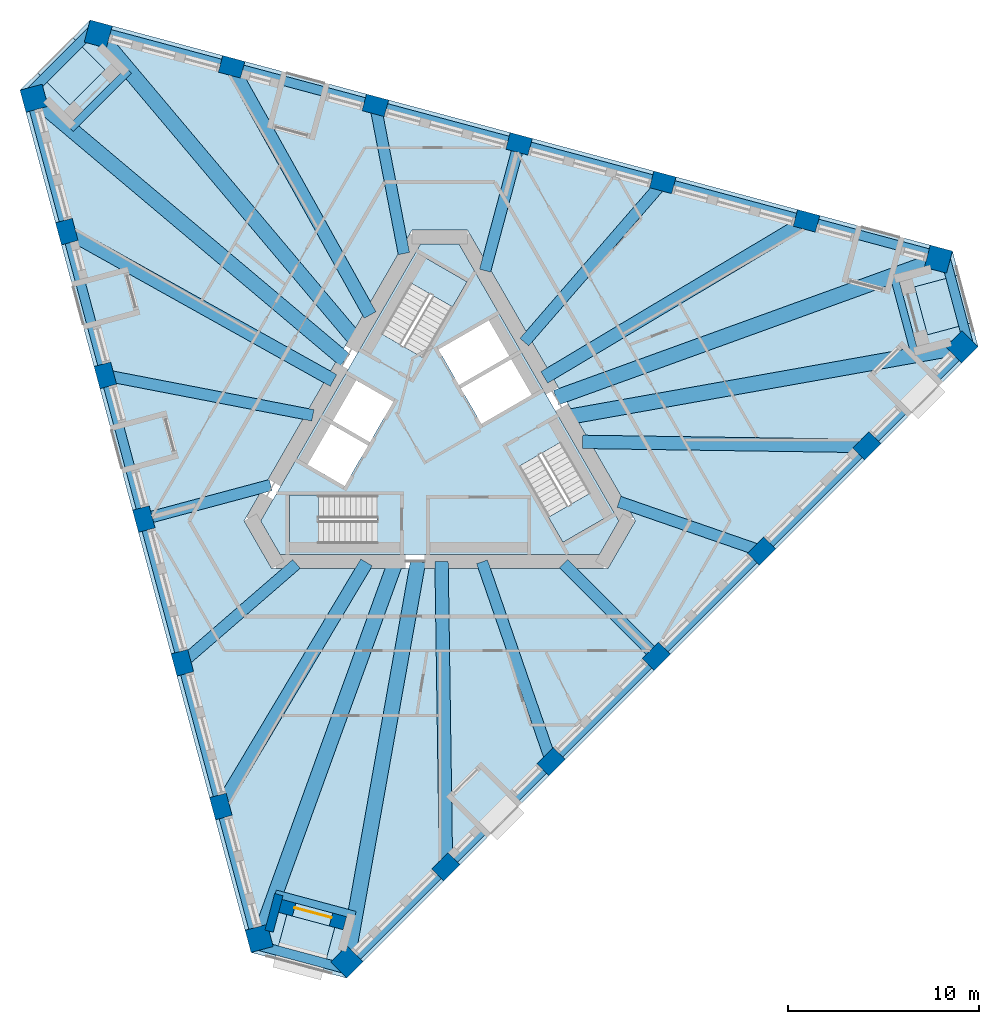
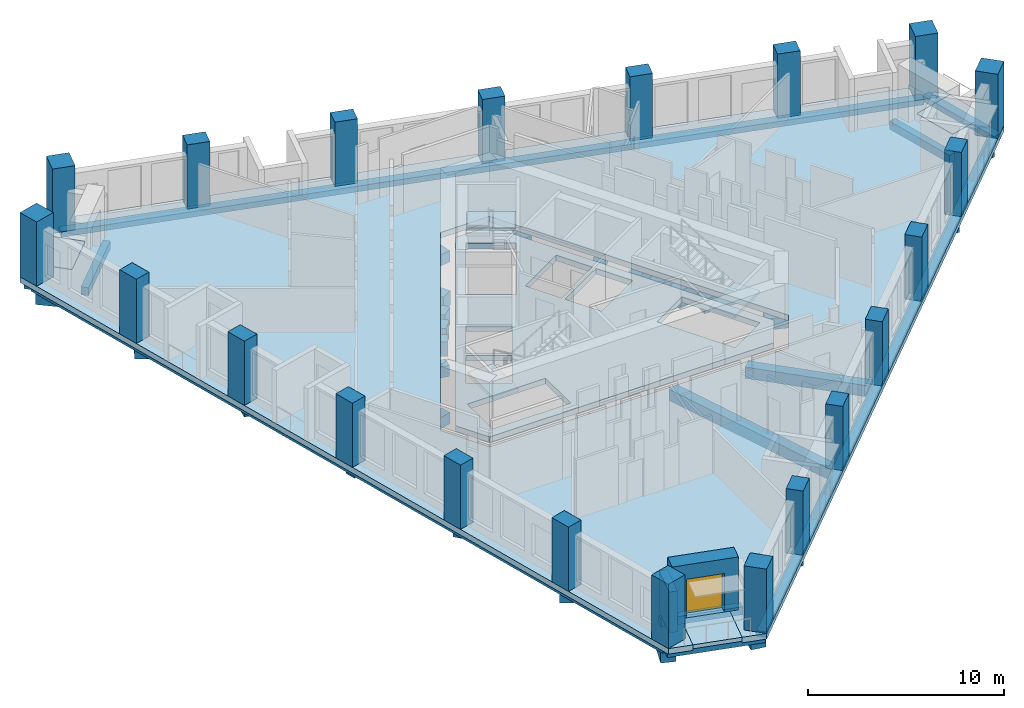
# One storey, part 1 of 13: 30 beams, 21 columns, 8 slabs, 2 walls, 1 door, 1 opening, 3 elements without a shape of their own.
"""IFC4 building model written with IfcOpenShell, lengths in metres."""

from ifc_helpers import new_model, si_unit, direction, frame, frame_2d, origin, origin_2d, place, context, subcontext, project, spatial, polyline, rectangle, outline, extrude, material, layer, layer_set, material_profile, profile_set, type_object, element, fill, aggregate, save


model = new_model("IFC4")

# Units and contexts
model_context = context("Model", 3, precision=1e-05, world=origin(), true_north=direction((0.0, 1.0)))
body_context = subcontext(model_context, "Body", "Model", "MODEL_VIEW")
ifc_project = project(units=[si_unit("LENGTHUNIT", "METRE"), si_unit("AREAUNIT", "SQUARE_METRE"), si_unit("VOLUMEUNIT", "CUBIC_METRE"), si_unit("PLANEANGLEUNIT", "RADIAN"), si_unit("MASSUNIT", "GRAM", prefix="KILO")], contexts=[model_context])

# Site, building, storey
site_placement = place(None, origin())
site = spatial("IfcSite", under=ifc_project, at=site_placement, CompositionType="ELEMENT")
building_placement = place(site_placement, origin())
building = spatial("IfcBuilding", under=site, at=building_placement, Name="Tramontana Tower", CompositionType="ELEMENT")
storey_placement = place(building_placement, frame((0.0, 0.0, 204.0)))
storey = spatial("IfcBuildingStorey", under=building, at=storey_placement, Name="L47", CompositionType="ELEMENT", Elevation=204.0)

# Columns
ifc_material_1 = material(Name="Concrete 55 MPa", Category="concrete")
ifc_material_profile_1 = material_profile(ifc_material_1, rectangle(XDim=1.199951171875, YDim=1.199951171875, at=origin_2d()), Name="Mega column 1200X1200 55 MPa")
ifc_profile_set_1 = profile_set([ifc_material_profile_1], Name="Concrete 55 MPa")
column_type_1 = type_object("IfcColumnType", Name="Mega column 1200X1200 55 MPa", PredefinedType="COLUMN", material=ifc_profile_set_1)
for number, where, z_axis, x_axis, name in (
    (1, (-21.2548828125, 17.89111328125, 0.0), (0.0, 0.0, 1.0), (0.258819045103, -0.965925826289, 0.0), "Mega column C5K1 L47"),
    (2, (-9.461669921875, -26.12158203125, 0.0), (0.0, 0.0, 1.0), (0.258819045103, -0.965925826289, 0.0), "Mega column C5K2 L47"),
    (3, (-4.86669921875, -27.352783203125, 0.0), (0.0, 0.0, 1.0), (0.707106781187, 0.707106781187, 0.0), "Mega column C5K3 L47"),
    (4, (27.352783203125, 4.86669921875, 0.0), (0.0, 0.0, 1.0), (0.707106781187, 0.707106781187, 0.0), "Mega column C5K4 L47"),
    (5, (26.12158203125, 9.461669921875, 0.0), (0.0, 0.0, 1.0), (-0.965925826289, 0.258819045103, 0.0), "Mega column C5K5 L47"),
    (6, (-17.89111328125, 21.2548828125, 0.0), (0.0, 0.0, 1.0), (-0.965925826289, 0.258819045103, 0.0), "Mega column C5K6 L47"),
):
    element("IfcColumn", number, at=place(storey_placement, frame(where, z_axis=z_axis, x_axis=x_axis)), inside=storey, type_object=column_type_1, Name=name, PredefinedType="COLUMN", context=body_context, shape_type="SweptSolid", body=[
        extrude(rectangle(XDim=1.199951171875, YDim=1.199951171875, at=origin_2d()), origin(), (0.0, 0.0, 1.0), 4.0),
    ])
ifc_material_2 = material(Name="Concrete 55 MPa", Category="concrete")
ifc_material_profile_2 = material_profile(ifc_material_2, rectangle(XDim=1.199951171875, YDim=0.89990234375, at=origin_2d()), Name="Pier column 1200X900 55 MPa")
ifc_profile_set_2 = profile_set([ifc_material_profile_2], Name="Concrete 55 MPa")
column_type_2 = type_object("IfcColumnType", Name="Pier column 1200X900 55 MPa", PredefinedType="COLUMN", material=ifc_profile_set_2)
for number, where, z_axis, x_axis, name in (
    (7, (-19.53759765625, 10.9033203125, 0.0), (0.0, 0.0, 1.0), (0.258819045103, -0.965925826289, 0.0), "Pier column C5F01 L47"),
    (8, (-17.5205078125, 3.37451171875, 0.0), (0.0, 0.0, 1.0), (0.258819045103, -0.965925826289, 0.0), "Pier column C5F02 L47"),
    (9, (-15.503173828125, -4.154052734375, 0.0), (0.0, 0.0, 1.0), (0.258819045103, -0.965925826289, 0.0), "Pier column C5F03 L47"),
    (10, (-13.48583984375, -11.6826171875, 0.0), (0.0, 0.0, 1.0), (0.258819045103, -0.965925826289, 0.0), "Pier column C5F04 L47"),
    (11, (-11.468505859375, -19.21142578125, 0.0), (0.0, 0.0, 1.0), (0.258819045103, -0.965925826289, 0.0), "Pier column C5F05 L47"),
    (12, (0.326416015625, -22.371826171875, 0.0), (0.0, 0.0, 1.0), (0.707106781187, 0.707106781187, 0.0), "Pier column C5F06 L47"),
    (13, (5.837646484375, -16.8603515625, 0.0), (0.0, 0.0, 1.0), (0.707106781187, 0.707106781187, 0.0), "Pier column C5F07 L47"),
    (14, (11.34912109375, -11.34912109375, 0.0), (0.0, 0.0, 1.0), (0.707106781187, 0.707106781187, 0.0), "Pier column C5F08 L47"),
    (15, (16.8603515625, -5.837646484375, 0.0), (0.0, 0.0, 1.0), (0.707106781187, 0.707106781187, 0.0), "Pier column C5F09 L47"),
    (16, (22.371826171875, -0.326416015625, 0.0), (0.0, 0.0, 1.0), (0.707106781187, 0.707106781187, 0.0), "Pier column C5F10 L47"),
    (17, (19.21142578125, 11.468505859375, 0.0), (0.0, 0.0, 1.0), (-0.965925826289, 0.258819045103, 0.0), "Pier column C5F11 L47"),
    (18, (11.6826171875, 13.48583984375, 0.0), (0.0, 0.0, 1.0), (-0.965925826289, 0.258819045103, 0.0), "Pier column C5F12 L47"),
    (19, (4.154052734375, 15.503173828125, 0.0), (0.0, 0.0, 1.0), (-0.965925826289, 0.258819045103, 0.0), "Pier column C5F13 L47"),
    (20, (-3.37451171875, 17.5205078125, 0.0), (0.0, 0.0, 1.0), (-0.965925826289, 0.258819045103, 0.0), "Pier column C5F14 L47"),
    (21, (-10.9033203125, 19.53759765625, 0.0), (0.0, 0.0, 1.0), (-0.965925826289, 0.258819045103, 0.0), "Pier column C5F15 L47"),
):
    element("IfcColumn", number, at=place(storey_placement, frame(where, z_axis=z_axis, x_axis=x_axis)), inside=storey, type_object=column_type_2, Name=name, PredefinedType="COLUMN", context=body_context, shape_type="SweptSolid", body=[
        extrude(rectangle(XDim=1.199951171875, YDim=0.89990234375, at=origin_2d()), origin(), (0.0, 0.0, 1.0), 4.0),
    ])

# Beams
ifc_material_3 = material(Name="Concrete 40 MPa", Category="concrete")
ifc_material_profile_3 = material_profile(ifc_material_3, rectangle(XDim=0.5, YDim=0.35009765625, at=origin_2d()), Name="RC EDGE BEAM 500X350 40 MPa")
ifc_profile_set_3 = profile_set([ifc_material_profile_3], Name="Concrete 40 MPa")
beam_type_1 = type_object("IfcBeamType", Name="RC EDGE BEAM 500X350 40 MPa", PredefinedType="SPANDREL", material=ifc_profile_set_3)
beam_1_placement = place(storey_placement, frame((-21.399658203125, 17.852294921875, -0.52490234375), z_axis=(0.25882000186, -0.965925569926, 0.0), x_axis=(0.965925569926, 0.25882000186, 0.0)))
element("IfcBeam", 22, at=beam_1_placement, inside=storey, type_object=beam_type_1, Name="Spandrel beam S0 L47", PredefinedType="SPANDREL", context=body_context, shape_type="SweptSolid", body=[
    extrude(rectangle(XDim=0.5, YDim=0.35009765625, at=origin_2d()), origin(), (0.0, 0.0, 1.0), 45.565185546875),
])
beam_2_placement = place(storey_placement, frame((-4.7607421875, -27.458984375, -0.52490234375), z_axis=(0.707106781187, 0.707106781187, 0.0), x_axis=(-0.707106781187, 0.707106781187, 0.0)))
element("IfcBeam", 23, at=beam_2_placement, inside=storey, type_object=beam_type_1, Name="Spandrel beam S1 L47", PredefinedType="SPANDREL", context=body_context, shape_type="SweptSolid", body=[
    extrude(rectangle(XDim=0.5, YDim=0.35009765625, at=origin_2d()), origin(), (0.0, 0.0, 1.0), 45.565673828125),
])
beam_3_placement = place(storey_placement, frame((26.160400390625, 9.6064453125, -0.52490234375), z_axis=(-0.965925569926, 0.25882000186, 0.0), x_axis=(-0.25882000186, -0.965925569926, 0.0)))
element("IfcBeam", 24, at=beam_3_placement, inside=storey, type_object=beam_type_1, Name="Spandrel beam S2 L47", PredefinedType="SPANDREL", context=body_context, shape_type="SweptSolid", body=[
    extrude(rectangle(XDim=0.5, YDim=0.35009765625, at=origin_2d()), origin(), (0.0, 0.0, 1.0), 45.565185546875),
])
beam_4_placement = place(storey_placement, frame((-17.997314453125, 21.67138671875, -0.52490234375), z_axis=(-0.707106781187, -0.707106781187, 0.0), x_axis=(0.707106781187, -0.707106781187, 0.0)))
element("IfcBeam", 25, at=beam_4_placement, inside=storey, type_object=beam_type_1, Name="Spandrel beam K0 L47", PredefinedType="SPANDREL", context=body_context, shape_type="SweptSolid", body=[
    extrude(rectangle(XDim=0.5, YDim=0.35009765625, at=origin_2d()), origin(), (0.0, 0.0, 1.0), 5.19580078125),
])
for number, where, z_axis, x_axis, name in (
    (26, (-9.769287109375, -26.421875, -0.52490234375), (0.965931693355, -0.258797147923, 0.0), (0.258797147923, 0.965931693355, 0.0), "Spandrel beam K1 L47"),
    (27, (27.7666015625, 4.750244140625, -0.52490234375), (-0.258797147923, 0.965931693355, 0.0), (-0.965931693355, -0.258797147923, 0.0), "Spandrel beam K2 L47"),
):
    element("IfcBeam", number, at=place(storey_placement, frame(where, z_axis=z_axis, x_axis=x_axis)), inside=storey, type_object=beam_type_1, Name=name, PredefinedType="SPANDREL", context=body_context, shape_type="SweptSolid", body=[
        extrude(rectangle(XDim=0.5, YDim=0.35009765625, at=origin_2d()), origin(), (0.0, 0.0, 1.0), 5.196044921875),
    ])
ifc_material_4 = material(Name="Concrete 40 MPa", Category="concrete")
ifc_material_profile_4 = material_profile(ifc_material_4, rectangle(XDim=0.60009765625, YDim=0.699951171875, at=origin_2d()), Name="RC GIRDER 600X700 40 MPa")
ifc_profile_set_4 = profile_set([ifc_material_profile_4], Name="Concrete 40 MPa")
beam_type_2 = type_object("IfcBeamType", Name="RC GIRDER 600X700 40 MPa", PredefinedType="BEAM", material=ifc_profile_set_4)
beam_5_placement = place(storey_placement, frame((-17.5205078125, 3.37451171875, -0.699951171875), z_axis=(0.981952314937, -0.189128663056, 0.0), x_axis=(0.189128663056, 0.981952314937, 0.0)))
element("IfcBeam", 28, at=beam_5_placement, inside=storey, type_object=beam_type_2, Name="Radial girder C5F02 L47", PredefinedType="BEAM", context=body_context, shape_type="SweptSolid", body=[
    extrude(rectangle(XDim=0.60009765625, YDim=0.699951171875, at=origin_2d()), origin(), (0.0, 0.0, 1.0), 11.074462890625),
])
beam_6_placement = place(storey_placement, frame((-15.503173828125, -4.154052734375, -0.699951171875), z_axis=(0.96592381373, 0.258826555959, 0.0), x_axis=(-0.258826555959, 0.96592381373, 0.0)))
element("IfcBeam", 29, at=beam_6_placement, inside=storey, type_object=beam_type_2, Name="Radial girder C5F03 L47", PredefinedType="BEAM", context=body_context, shape_type="SweptSolid", body=[
    extrude(rectangle(XDim=0.60009765625, YDim=0.699951171875, at=origin_2d()), origin(), (0.0, 0.0, 1.0), 6.879150390625),
])
beam_7_placement = place(storey_placement, frame((-13.48583984375, -11.6826171875, -0.699951171875), z_axis=(0.755833701345, 0.654763633619, 0.0), x_axis=(-0.654763633619, 0.755833701345, 0.0)))
element("IfcBeam", 30, at=beam_7_placement, inside=storey, type_object=beam_type_2, Name="Radial girder C5F04 L47", PredefinedType="BEAM", context=body_context, shape_type="SweptSolid", body=[
    extrude(rectangle(XDim=0.60009765625, YDim=0.699951171875, at=origin_2d()), origin(), (0.0, 0.0, 1.0), 7.908447265625),
])
beam_8_placement = place(storey_placement, frame((5.837646484375, -16.8603515625, -0.699951171875), z_axis=(-0.327178709265, 0.944962481903, 0.0), x_axis=(-0.944962481903, -0.327178709265, 0.0)))
element("IfcBeam", 31, at=beam_8_placement, inside=storey, type_object=beam_type_2, Name="Radial girder C5F07 L47", PredefinedType="BEAM", context=body_context, shape_type="SweptSolid", body=[
    extrude(rectangle(XDim=0.60009765625, YDim=0.699951171875, at=origin_2d()), origin(), (0.0, 0.0, 1.0), 11.074462890625),
])
beam_9_placement = place(storey_placement, frame((11.34912109375, -11.34912109375, -0.699951171875), z_axis=(-0.707106781187, 0.707106781187, 0.0), x_axis=(-0.707106781187, -0.707106781187, 0.0)))
element("IfcBeam", 32, at=beam_9_placement, inside=storey, type_object=beam_type_2, Name="Radial girder C5F08 L47", PredefinedType="BEAM", context=body_context, shape_type="SweptSolid", body=[
    extrude(rectangle(XDim=0.60009765625, YDim=0.699951171875, at=origin_2d()), origin(), (0.0, 0.0, 1.0), 6.879150390625),
])
beam_10_placement = place(storey_placement, frame((16.8603515625, -5.837646484375, -0.699951171875), z_axis=(-0.944964783829, 0.327172060732, 0.0), x_axis=(-0.327172060732, -0.944964783829, 0.0)))
element("IfcBeam", 33, at=beam_10_placement, inside=storey, type_object=beam_type_2, Name="Radial girder C5F09 L47", PredefinedType="BEAM", context=body_context, shape_type="SweptSolid", body=[
    extrude(rectangle(XDim=0.60009765625, YDim=0.699951171875, at=origin_2d()), origin(), (0.0, 0.0, 1.0), 7.908447265625),
])
beam_11_placement = place(storey_placement, frame((11.6826171875, 13.48583984375, -0.699951171875), z_axis=(-0.654758463957, -0.755838179689, 0.0), x_axis=(0.755838179689, -0.654758463957, 0.0)))
element("IfcBeam", 34, at=beam_11_placement, inside=storey, type_object=beam_type_2, Name="Radial girder C5F12 L47", PredefinedType="BEAM", context=body_context, shape_type="SweptSolid", body=[
    extrude(rectangle(XDim=0.60009765625, YDim=0.699951171875, at=origin_2d()), origin(), (0.0, 0.0, 1.0), 11.07421875),
])
beam_12_placement = place(storey_placement, frame((4.154052734375, 15.503173828125, -0.699951171875), z_axis=(-0.258826555959, -0.96592381373, 0.0), x_axis=(0.96592381373, -0.258826555959, 0.0)))
element("IfcBeam", 35, at=beam_12_placement, inside=storey, type_object=beam_type_2, Name="Radial girder C5F13 L47", PredefinedType="BEAM", context=body_context, shape_type="SweptSolid", body=[
    extrude(rectangle(XDim=0.60009765625, YDim=0.699951171875, at=origin_2d()), origin(), (0.0, 0.0, 1.0), 6.879150390625),
])
beam_13_placement = place(storey_placement, frame((-3.37451171875, 17.5205078125, -0.699951171875), z_axis=(0.189111876718, -0.981955547917, 0.0), x_axis=(0.981955547917, 0.189111876718, 0.0)))
element("IfcBeam", 36, at=beam_13_placement, inside=storey, type_object=beam_type_2, Name="Radial girder C5F14 L47", PredefinedType="BEAM", context=body_context, shape_type="SweptSolid", body=[
    extrude(rectangle(XDim=0.60009765625, YDim=0.699951171875, at=origin_2d()), origin(), (0.0, 0.0, 1.0), 7.90869140625),
])
ifc_material_5 = material(Name="Concrete 40 MPa", Category="concrete")
ifc_material_profile_5 = material_profile(ifc_material_5, rectangle(XDim=0.699951171875, YDim=0.89990234375, at=origin_2d()), Name="RC GIRDER 700X900 40 MPa")
ifc_profile_set_5 = profile_set([ifc_material_profile_5], Name="Concrete 40 MPa")
beam_type_3 = type_object("IfcBeamType", Name="RC GIRDER 700X900 40 MPa", PredefinedType="BEAM", material=ifc_profile_set_5)
beam_14_placement = place(storey_placement, frame((-19.53759765625, 10.9033203125, -0.800048828125), z_axis=(0.873222771741, -0.487321239956, 0.0), x_axis=(0.487321239956, 0.873222771741, 0.0)))
element("IfcBeam", 37, at=beam_14_placement, inside=storey, type_object=beam_type_3, Name="Radial girder C5F01 L47", PredefinedType="BEAM", context=body_context, shape_type="SweptSolid", body=[
    extrude(rectangle(XDim=0.699951171875, YDim=0.89990234375, at=origin_2d()), origin(), (0.0, 0.0, 1.0), 15.99853515625),
])
beam_15_placement = place(storey_placement, frame((-11.468505859375, -19.211181640625, -0.800048828125), z_axis=(0.512577256937, 0.858641109935, 0.0), x_axis=(-0.858641109935, 0.512577256937, 0.0)))
element("IfcBeam", 38, at=beam_15_placement, inside=storey, type_object=beam_type_3, Name="Radial girder C5F05 L47", PredefinedType="BEAM", context=body_context, shape_type="SweptSolid", body=[
    extrude(rectangle(XDim=0.699951171875, YDim=0.89990234375, at=origin_2d()), origin(), (0.0, 0.0, 1.0), 14.8876953125),
])
beam_16_placement = place(storey_placement, frame((0.326416015625, -22.371826171875, -0.800048828125), z_axis=(-0.014588743818, 0.999893578614, 0.0), x_axis=(-0.999893578614, -0.014588743818, 0.0)))
element("IfcBeam", 39, at=beam_16_placement, inside=storey, type_object=beam_type_3, Name="Radial girder C5F06 L47", PredefinedType="BEAM", context=body_context, shape_type="SweptSolid", body=[
    extrude(rectangle(XDim=0.699951171875, YDim=0.89990234375, at=origin_2d()), origin(), (0.0, 0.0, 1.0), 15.99853515625),
])
beam_17_placement = place(storey_placement, frame((22.371826171875, -0.326416015625, -0.800048828125), z_axis=(-0.999893489786, 0.01459483068, 0.0), x_axis=(-0.01459483068, -0.999893489786, 0.0)))
element("IfcBeam", 40, at=beam_17_placement, inside=storey, type_object=beam_type_3, Name="Radial girder C5F10 L47", PredefinedType="BEAM", context=body_context, shape_type="SweptSolid", body=[
    extrude(rectangle(XDim=0.699951171875, YDim=0.89990234375, at=origin_2d()), origin(), (0.0, 0.0, 1.0), 14.8876953125),
])
beam_18_placement = place(storey_placement, frame((19.211181640625, 11.468505859375, -0.800048828125), z_axis=(-0.858639355408, -0.512580196012, 0.0), x_axis=(0.512580196012, -0.858639355408, 0.0)))
element("IfcBeam", 41, at=beam_18_placement, inside=storey, type_object=beam_type_3, Name="Radial girder C5F11 L47", PredefinedType="BEAM", context=body_context, shape_type="SweptSolid", body=[
    extrude(rectangle(XDim=0.699951171875, YDim=0.89990234375, at=origin_2d()), origin(), (0.0, 0.0, 1.0), 15.998291015625),
])
beam_19_placement = place(storey_placement, frame((-10.9033203125, 19.53759765625, -0.800048828125), z_axis=(0.487317016809, -0.873225128548, 0.0), x_axis=(0.873225128548, 0.487317016809, 0.0)))
element("IfcBeam", 42, at=beam_19_placement, inside=storey, type_object=beam_type_3, Name="Radial girder C5F15 L47", PredefinedType="BEAM", context=body_context, shape_type="SweptSolid", body=[
    extrude(rectangle(XDim=0.699951171875, YDim=0.89990234375, at=origin_2d()), origin(), (0.0, 0.0, 1.0), 14.887939453125),
])
ifc_material_6 = material(Name="Concrete 40 MPa", Category="concrete")
ifc_material_profile_6 = material_profile(ifc_material_6, rectangle(XDim=0.800048828125, YDim=1.10009765625, at=origin_2d()), Name="RC GIRDER 800X1100 40 MPa")
ifc_profile_set_6 = profile_set([ifc_material_profile_6], Name="Concrete 40 MPa")
beam_type_4 = type_object("IfcBeamType", Name="RC GIRDER 800X1100 40 MPa", PredefinedType="BEAM", material=ifc_profile_set_6)
beam_20_placement = place(storey_placement, frame((-21.2548828125, 17.89111328125, -0.89990234375), z_axis=(0.765048789766, -0.643972320273, 0.0), x_axis=(0.643972320273, 0.765048789766, 0.0)))
element("IfcBeam", 43, at=beam_20_placement, inside=storey, type_object=beam_type_4, Name="Radial girder C5K1 L47", PredefinedType="BEAM", context=body_context, shape_type="SweptSolid", body=[
    extrude(rectangle(XDim=0.800048828125, YDim=1.10009765625, at=origin_2d()), origin(), (0.0, 0.0, 1.0), 21.301513671875),
])
beam_21_placement = place(storey_placement, frame((-9.461669921875, -26.12158203125, -0.89990234375), z_axis=(0.340569160695, 0.94021946735, 0.0), x_axis=(-0.94021946735, 0.340569160695, 0.0)))
element("IfcBeam", 44, at=beam_21_placement, inside=storey, type_object=beam_type_4, Name="Radial girder C5K2 L47", PredefinedType="BEAM", context=body_context, shape_type="SweptSolid", body=[
    extrude(rectangle(XDim=0.800048828125, YDim=1.10009765625, at=origin_2d()), origin(), (0.0, 0.0, 1.0), 20.978271484375),
])
beam_22_placement = place(storey_placement, frame((-4.86669921875, -27.352783203125, -0.89990234375), z_axis=(0.175174555483, 0.984537391424, 0.0), x_axis=(-0.984537391424, 0.175174555483, 0.0)))
element("IfcBeam", 45, at=beam_22_placement, inside=storey, type_object=beam_type_4, Name="Radial girder C5K3 L47", PredefinedType="BEAM", context=body_context, shape_type="SweptSolid", body=[
    extrude(rectangle(XDim=0.800048828125, YDim=1.10009765625, at=origin_2d()), origin(), (0.0, 0.0, 1.0), 21.30126953125),
])
beam_23_placement = place(storey_placement, frame((27.352783203125, 4.86669921875, -0.89990234375), z_axis=(-0.984537718073, -0.175172719597, 0.0), x_axis=(0.175172719597, -0.984537718073, 0.0)))
element("IfcBeam", 46, at=beam_23_placement, inside=storey, type_object=beam_type_4, Name="Radial girder C5K4 L47", PredefinedType="BEAM", context=body_context, shape_type="SweptSolid", body=[
    extrude(rectangle(XDim=0.800048828125, YDim=1.10009765625, at=origin_2d()), origin(), (0.0, 0.0, 1.0), 20.978271484375),
])
beam_24_placement = place(storey_placement, frame((26.12158203125, 9.461669921875, -0.89990234375), z_axis=(-0.940223018737, -0.340559356113, 0.0), x_axis=(0.340559356113, -0.940223018737, 0.0)))
element("IfcBeam", 47, at=beam_24_placement, inside=storey, type_object=beam_type_4, Name="Radial girder C5K5 L47", PredefinedType="BEAM", context=body_context, shape_type="SweptSolid", body=[
    extrude(rectangle(XDim=0.800048828125, YDim=1.10009765625, at=origin_2d()), origin(), (0.0, 0.0, 1.0), 21.301513671875),
])
beam_25_placement = place(storey_placement, frame((-17.89111328125, 21.2548828125, -0.89990234375), z_axis=(0.643976971362, -0.765044874733, 0.0), x_axis=(0.765044874733, 0.643976971362, 0.0)))
element("IfcBeam", 48, at=beam_25_placement, inside=storey, type_object=beam_type_4, Name="Radial girder C5K6 L47", PredefinedType="BEAM", context=body_context, shape_type="SweptSolid", body=[
    extrude(rectangle(XDim=0.800048828125, YDim=1.10009765625, at=origin_2d()), origin(), (0.0, 0.0, 1.0), 20.978271484375),
])
ifc_material_7 = material(Name="Concrete 40 MPa", Category="concrete")
ifc_material_profile_7 = material_profile(ifc_material_7, rectangle(XDim=0.39990234375, YDim=0.5, at=origin_2d()), Name="RC TRIM BEAM 400X500 40 MPa")
ifc_profile_set_7 = profile_set([ifc_material_profile_7], Name="Concrete 40 MPa")
beam_type_5 = type_object("IfcBeamType", Name="RC TRIM BEAM 400X500 40 MPa", PredefinedType="JOIST", material=ifc_profile_set_7)
beam_26_placement = place(storey_placement, frame((-16.2880859375, 19.35009765625, -0.60009765625), z_axis=(-0.707106781187, -0.707106781187, 0.0), x_axis=(0.707106781187, -0.707106781187, 0.0)))
element("IfcBeam", 49, at=beam_26_placement, inside=storey, type_object=beam_type_5, Name="Trimmer beam K0 L47", PredefinedType="JOIST", context=body_context, shape_type="SweptSolid", body=[
    extrude(rectangle(XDim=0.39990234375, YDim=0.5, at=origin_2d()), origin(), (0.0, 0.0, 1.0), 4.330322265625),
])
for number, where, z_axis, x_axis, name in (
    (50, (-8.61376953125, -23.781005859375, -0.60009765625), (0.965926410656, -0.258816864207, 0.0), (0.258816864207, 0.965926410656, 0.0), "Trimmer beam K1 L47"),
    (51, (24.90185546875, 4.4306640625, -0.60009765625), (-0.258816864207, 0.965926410656, 0.0), (-0.965926410656, -0.258816864207, 0.0), "Trimmer beam K2 L47"),
):
    element("IfcBeam", number, at=place(storey_placement, frame(where, z_axis=z_axis, x_axis=x_axis)), inside=storey, type_object=beam_type_5, Name=name, PredefinedType="JOIST", context=body_context, shape_type="SweptSolid", body=[
        extrude(rectangle(XDim=0.39990234375, YDim=0.5, at=origin_2d()), origin(), (0.0, 0.0, 1.0), 4.33056640625),
    ])

# Slabs
ifc_material_8 = material(Name="Precast concrete 50 MPa", Category="concrete")
ifc_layer_1 = layer(ifc_material_8, 0.25)
ifc_layer_set_1 = layer_set([ifc_layer_1], Name="LT1 Loggia floor tray 250")
slab_type_1 = type_object("IfcSlabType", Name="LT1 Loggia floor tray 250", PredefinedType="FLOOR", material=ifc_layer_set_1)
slab_1_placement = place(storey_placement, frame((0.0, 0.0, -0.25)))
element("IfcSlab", 52, at=slab_1_placement, inside=storey, type_object=slab_type_1, Name="Corner loggia floor L47 K50", PredefinedType="FLOOR", context=body_context, shape_type="SweptSolid", body=[
    extrude(outline(polyline([(-19.2333984375, 21.07177734375), (-17.5361328125, 19.374755859375), (-19.374755859375, 17.5361328125), (-21.07177734375, 19.2333984375), (-19.2333984375, 21.07177734375)])), origin(), (0.0, 0.0, 1.0), 0.25),
])
slab_2_placement = place(storey_placement, frame((0.0, 0.0, -0.25)))
element("IfcSlab", 53, at=slab_2_placement, inside=storey, type_object=slab_type_1, Name="Corner loggia floor L47 K51", PredefinedType="FLOOR", context=body_context, shape_type="SweptSolid", body=[
    extrude(outline(polyline([(-8.632080078125, -27.1923828125), (-8.010986328125, -24.874267578125), (-5.49951171875, -25.547119140625), (-6.12060546875, -27.865234375), (-8.632080078125, -27.1923828125)])), origin(), (0.0, 0.0, 1.0), 0.25),
])
slab_3_placement = place(storey_placement, frame((0.0, 0.0, -0.25)))
element("IfcSlab", 54, at=slab_3_placement, inside=storey, type_object=slab_type_1, Name="Corner loggia floor L47 K52", PredefinedType="FLOOR", context=body_context, shape_type="SweptSolid", body=[
    extrude(outline(polyline([(27.865234375, 6.12060546875), (25.547119140625, 5.49951171875), (24.874267578125, 8.010986328125), (27.1923828125, 8.632080078125), (27.865234375, 6.12060546875)])), origin(), (0.0, 0.0, 1.0), 0.25),
])
ifc_material_9 = material(Name="Concrete 40 MPa", Category="concrete")
ifc_layer_2 = layer(ifc_material_9, 0.35009765625)
ifc_layer_set_2 = layer_set([ifc_layer_2], Name="PT FLAT SLAB 350 40 MPa")
slab_type_2 = type_object("IfcSlabType", Name="PT FLAT SLAB 350 40 MPa", PredefinedType="FLOOR", material=ifc_layer_set_2)
slab_4_placement = place(storey_placement, frame((0.0, 0.0, -0.35009765625)))
element("IfcSlab", 55, at=slab_4_placement, inside=storey, type_object=slab_type_2, Name="Floor slab L47", PredefinedType="FLOOR", context=body_context, shape_type="SweptSolid", body=[
    extrude(outline(polyline([(27.1923828125, 8.632080078125), (24.874267578125, 8.010986328125), (25.547119140625, 5.49951171875), (27.865478515625, 6.12060546875), (28.201416015625, 4.86669921875), (-4.86669921875, -28.201416015625), (-6.12060546875, -27.865478515625), (-5.49951171875, -25.547119140625), (-8.010986328125, -24.874267578125), (-8.632080078125, -27.1923828125), (-9.885986328125, -26.8564453125), (-21.98974609375, 18.3154296875), (-21.07177734375, 19.2333984375), (-19.374755859375, 17.5361328125), (-17.5361328125, 19.374755859375), (-19.2333984375, 21.07177734375), (-18.3154296875, 21.98974609375), (26.8564453125, 9.885986328125), (27.1923828125, 8.632080078125)]), holes=[polyline([(-10.248046875, -4.25), (-8.8046875, -6.75), (8.8046875, -6.75), (10.248046875, -4.25), (1.443359375, 11.0), (-1.443359375, 11.0), (-10.248046875, -4.25)])]), origin(), (0.0, 0.0, 1.0), 0.35009765625),
])
slab_5_placement = place(storey_placement, frame((0.0, 0.0, -0.35009765625)))
element("IfcSlab", 56, at=slab_5_placement, inside=storey, type_object=slab_type_2, Name="Core floor slab L47", PredefinedType="FLOOR", context=body_context, shape_type="SweptSolid", body=[
    extrude(outline(polyline([(9.3818359375, -4.25), (8.37158203125, -6.0), (-8.37158203125, -6.0), (-9.3818359375, -4.25), (-1.010498046875, 10.25), (1.010498046875, 10.25), (9.3818359375, -4.25)]), holes=[polyline([(8.659912109375, -4.099365234375), (6.35986328125, -0.115478515625), (4.151611328125, -1.390625), (6.451416015625, -5.374267578125), (8.659912109375, -4.099365234375)]), polyline([(3.829833984375, 4.2666015625), (1.101806640625, 2.69140625), (2.177001953125, 0.82958984375), (4.90478515625, 2.404541015625), (3.829833984375, 4.2666015625)]), polyline([(2.65478515625, 6.3017578125), (-0.072998046875, 4.726806640625), (1.001953125, 2.86474609375), (3.729736328125, 4.439697265625), (2.65478515625, 6.3017578125)]), polyline([(-0.77978515625, 9.54931640625), (-3.079833984375, 5.565673828125), (-0.87158203125, 4.29052734375), (1.428466796875, 8.2744140625), (-0.77978515625, 9.54931640625)]), polyline([(-5.689697265625, 1.044921875), (-3.65478515625, -0.130126953125), (-2.4296875, 1.99169921875), (-4.46484375, 3.166748046875), (-5.689697265625, 1.044921875)]), polyline([(-3.280029296875, -5.449951171875), (-3.280029296875, -2.89990234375), (-7.8798828125, -2.89990234375), (-7.8798828125, -5.449951171875), (-3.280029296875, -5.449951171875)]), polyline([(-7.014892578125, -1.25), (-4.979736328125, -2.425048828125), (-3.754638671875, -0.30322265625), (-5.789794921875, 0.87158203125), (-7.014892578125, -1.25)])]), origin(), (0.0, 0.0, 1.0), 0.35009765625),
])

# Stair, slab
ifc_material_10 = material(Name="Concrete 40 MPa", Category="concrete")
stair_type = type_object("IfcStairType", Name="EXIT STAIR 24 RISERS", PredefinedType="HALF_TURN_STAIR", material=ifc_material_10)
stair_1_placement = place(storey_placement, origin())
stair_1 = element("IfcStair", 57, at=stair_1_placement, inside=storey, type_object=stair_type, Name="L47 Exit stair ST1", PredefinedType="HALF_TURN_STAIR")
ifc_material_11 = material(Name="Concrete 40 MPa", Category="concrete")
ifc_layer_3 = layer(ifc_material_11, 0.199951171875)
ifc_layer_set_3 = layer_set([ifc_layer_3], Name="STAIR LANDING 200")
slab_type_3 = type_object("IfcSlabType", Name="STAIR LANDING 200", PredefinedType="LANDING", material=ifc_layer_set_3)
slab_6_placement = place(storey_placement, frame((0.0, 0.0, 1.800048828125)))
slab_6 = element("IfcSlab", 58, at=slab_6_placement, type_object=slab_type_3, Name="ST1 landing 1", PredefinedType="LANDING", context=body_context, shape_type="SweptSolid", body=[
    extrude(outline(polyline([(0.66845703125, 6.9580078125), (1.428466796875, 8.274169921875), (-0.77978515625, 9.54931640625), (-1.539794921875, 8.23291015625), (0.66845703125, 6.9580078125)])), origin(), (0.0, 0.0, 1.0), 0.199951171875),
])
aggregate(stair_1, [slab_6])

stair_2_placement = place(storey_placement, origin())
stair_2 = element("IfcStair", 59, at=stair_2_placement, inside=storey, type_object=stair_type, Name="L47 Exit stair ST2", PredefinedType="HALF_TURN_STAIR")
slab_7_placement = place(storey_placement, frame((0.0, 0.0, 1.800048828125)))
slab_7 = element("IfcSlab", 60, at=slab_7_placement, type_object=slab_type_3, Name="ST2 landing 1", PredefinedType="LANDING", context=body_context, shape_type="SweptSolid", body=[
    extrude(outline(polyline([(-6.360107421875, -2.89990234375), (-7.8798828125, -2.89990234375), (-7.8798828125, -5.449951171875), (-6.360107421875, -5.449951171875), (-6.360107421875, -2.89990234375)])), origin(), (0.0, 0.0, 1.0), 0.199951171875),
])
aggregate(stair_2, [slab_7])

stair_3_placement = place(storey_placement, origin())
stair_3 = element("IfcStair", 61, at=stair_3_placement, inside=storey, type_object=stair_type, Name="L47 Exit stair ST3", PredefinedType="HALF_TURN_STAIR")
slab_8_placement = place(storey_placement, frame((0.0, 0.0, 1.800048828125)))
slab_8 = element("IfcSlab", 62, at=slab_8_placement, type_object=slab_type_3, Name="ST3 landing 1", PredefinedType="LANDING", context=body_context, shape_type="SweptSolid", body=[
    extrude(outline(polyline([(5.69140625, -4.057861328125), (6.451416015625, -5.374267578125), (8.659912109375, -4.099365234375), (7.89990234375, -2.782958984375), (5.69140625, -4.057861328125)])), origin(), (0.0, 0.0, 1.0), 0.199951171875),
])
aggregate(stair_3, [slab_8])

# Wall
ifc_material_12 = material(Name="Precast concrete 60 MPa", Category="concrete")
ifc_layer_4 = layer(ifc_material_12, 0.449951171875)
ifc_layer_set_4 = layer_set([ifc_layer_4], Name="Precast concrete 60 MPa, 450 mm")
wall_type_1 = type_object("IfcWallType", Name="EW1 Stone-faced precast wall 450", PredefinedType="SOLIDWALL", material=ifc_layer_set_4)
wall_1_placement = place(storey_placement, frame((-8.942138671875, -25.741943359375, 0.0), z_axis=(0.0, 0.0, 1.0), x_axis=(0.258783354109, 0.965935388955, 0.0)))
element("IfcWall", 63, at=wall_1_placement, inside=storey, type_object=wall_type_1, Name="Corner loggia side wall L47 K51r", PredefinedType="SOLIDWALL", context=body_context, shape_type="SweptSolid", body=[
    extrude(rectangle(XDim=1.979248046875, YDim=0.449951171875, at=frame_2d((0.98974609375, 0.0))), origin(), (0.0, 0.0, 1.0), 2.550048828125),
])

# Wall, opening, door
ifc_material_13 = material(Name="Precast concrete 60 MPa", Category="concrete")
ifc_layer_5 = layer(ifc_material_13, 0.89990234375)
ifc_layer_set_5 = layer_set([ifc_layer_5], Name="EW2 Stone-faced corner loggia wall 900")
wall_type_2 = type_object("IfcWallType", Name="EW2 Stone-faced corner loggia wall 900", PredefinedType="SOLIDWALL", material=ifc_layer_set_5)
wall_2_placement = place(storey_placement, frame((-4.9482421875, -25.22900390625, 0.0), z_axis=(0.0, 0.0, 1.0), x_axis=(-0.965918160473, 0.258847652622, 0.0)))
wall_2 = element("IfcWall", 64, at=wall_2_placement, inside=storey, type_object=wall_type_2, Name="Corner loggia wall L47 K51", PredefinedType="SOLIDWALL", context=body_context, shape_type="SweptSolid", body=[
    extrude(rectangle(XDim=3.500244140625, YDim=0.89990234375, at=frame_2d((1.75, 0.0))), origin(), (0.0, 0.0, 1.0), 3.300048828125),
])
opening_placement = place(wall_2_placement, frame((0.75, 0.0, 0.0)))
opening = element("IfcOpeningElement", 65, at=opening_placement, cuts=wall_2, Name="Opening BD-51C", PredefinedType="OPENING", context=body_context, shape_type="SweptSolid", body=[
    extrude(rectangle(XDim=2.0, YDim=2.39990234375, at=frame_2d((1.0, 1.199951171875))), frame((0.0, 0.4599609375, 0.0), z_axis=(0.0, -1.0, 0.0), x_axis=(1.0, 0.0, 0.0)), (0.0, 0.0, 1.0), 0.919921875),
])
ifc_material_14 = material(Name="Aluminum frame, double glazing unit", Category="aluminium")
door_type = type_object("IfcDoorType", Name="BC1 Sliding door 2 x 2.4", OperationType="SLIDING_TO_LEFT", PredefinedType="DOOR", material=ifc_material_14)
door_placement = place(opening_placement, origin())
door = element("IfcDoor", 66, at=door_placement, inside=storey, type_object=door_type, Name="Corner loggia door L47 K51", OperationType="SLIDING_TO_LEFT", OverallHeight=2.39990234375, OverallWidth=2.0, PredefinedType="DOOR", context=body_context, shape_type="SweptSolid", body=[
    extrude(rectangle(XDim=2.0, YDim=2.39990234375, at=frame_2d((1.0, 1.199951171875))), frame((0.0, 0.02490234375, 0.0), z_axis=(0.0, -1.0, 0.0), x_axis=(1.0, 0.0, 0.0)), (0.0, 0.0, 1.0), 0.050048828125),
])
fill(opening, door)

save(model, "model.ifc")
